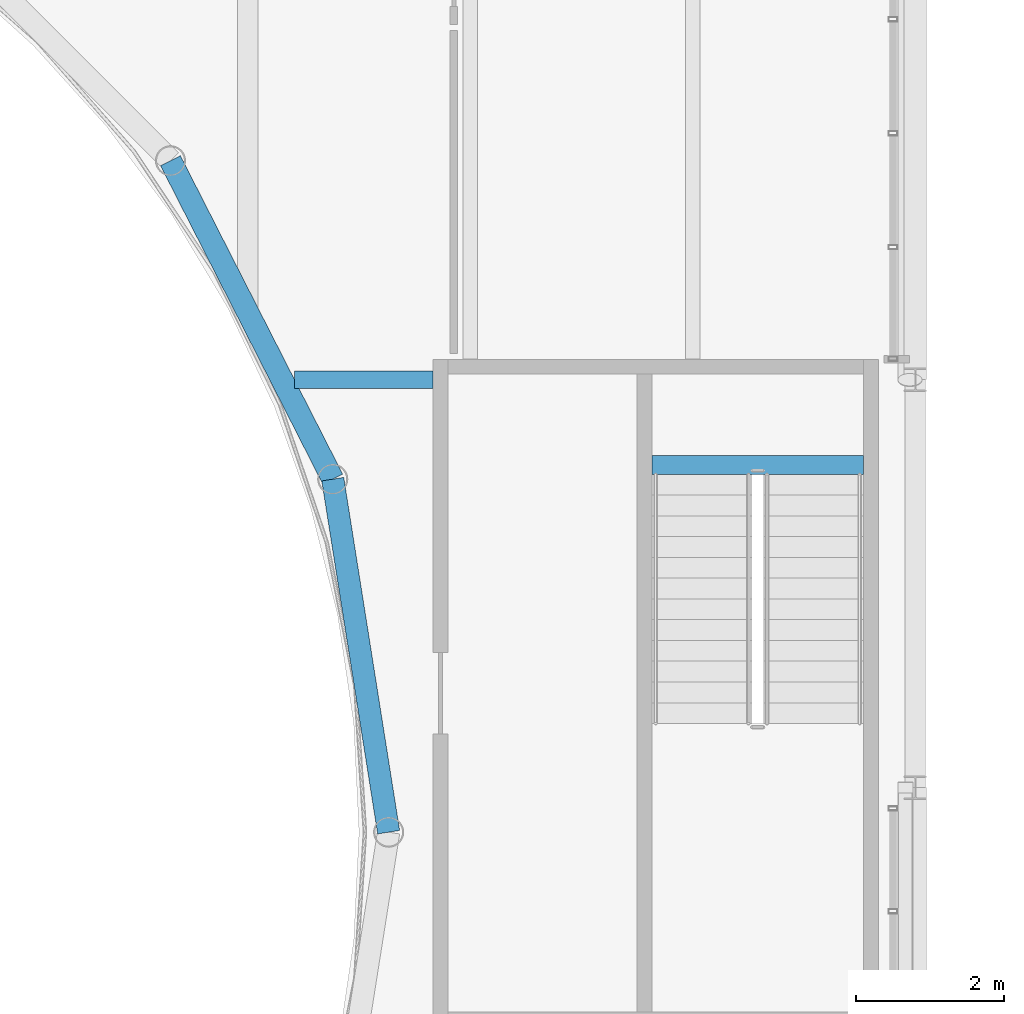
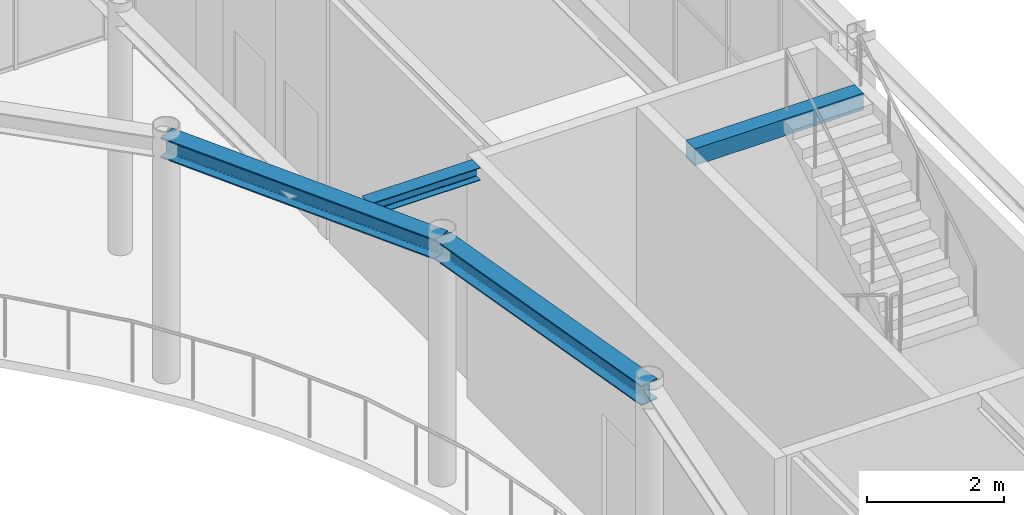
# One storey, part 50 of 111: 4 beams.
"""IFC4 building model written with IfcOpenShell, lengths in metres."""

from ifc_helpers import new_model, si_unit, direction, frame, origin, origin_2d, place, context, subcontext, project, spatial, rectangle, i_section, extrude, material, material_profile, profile_set, type_object, element, save


model = new_model("IFC4")

# Units and contexts
model_context = context("Model", 3, precision=1e-05, world=origin(), true_north=direction((0.0, 1.0)))
body_context = subcontext(model_context, "Body", "Model", "MODEL_VIEW")
ifc_project = project(units=[si_unit("LENGTHUNIT", "METRE"), si_unit("AREAUNIT", "SQUARE_METRE"), si_unit("VOLUMEUNIT", "CUBIC_METRE"), si_unit("PLANEANGLEUNIT", "RADIAN"), si_unit("MASSUNIT", "GRAM", prefix="KILO")], contexts=[model_context])

# Site, building, storey
site_placement = place(None, origin())
site = spatial("IfcSite", under=ifc_project, at=site_placement, CompositionType="ELEMENT")
building_placement = place(site_placement, origin())
building = spatial("IfcBuilding", under=site, at=building_placement, Name="Kallimachos Central Library", CompositionType="ELEMENT")
storey_placement = place(building_placement, frame((0.0, 0.0, 14.39990234375)))
storey = spatial("IfcBuildingStorey", under=building, at=storey_placement, Name="L03", CompositionType="ELEMENT", Elevation=14.39990234375)

# Beams
ifc_material_1 = material(Name="Steel S355J2", Category="steel")
ifc_material_profile_1 = material_profile(ifc_material_1, i_section(OverallWidth=0.239990234375, OverallDepth=0.22998046875, WebThickness=0.007568359375, FlangeThickness=0.011962890625, FilletRadius=0.02099609375, at=origin_2d()), Name="HEA 240")
ifc_profile_set_1 = profile_set([ifc_material_profile_1], Name="Steel S355J2")
beam_type_1 = type_object("IfcBeamType", Name="HEA 240 beam", PredefinedType="BEAM", material=ifc_profile_set_1)
beam_1_placement = place(storey_placement, frame((102.13134765625, 110.5, 4.235107421875), z_axis=(1.0, 0.0, 0.0), x_axis=(0.0, 1.0, 0.0)))
element("IfcBeam", 1, at=beam_1_placement, inside=storey, type_object=beam_type_1, Name="V1-BEM-L03-043", PredefinedType="BEAM", context=body_context, shape_type="SweptSolid", body=[
    extrude(i_section(OverallWidth=0.239990234375, OverallDepth=0.22998046875, WebThickness=0.007568359375, FlangeThickness=0.011962890625, FilletRadius=0.02099609375, at=origin_2d()), origin(), (0.0, 0.0, 1.0), 1.86376953125),
])
ifc_material_2 = material(Name="Steel S355J2", Category="steel")
ifc_material_profile_2 = material_profile(ifc_material_2, i_section(OverallWidth=0.300048828125, OverallDepth=0.360107421875, WebThickness=0.012451171875, FlangeThickness=0.0224609375, FilletRadius=0.027099609375, at=origin_2d()), Name="HEB 360")
ifc_profile_set_2 = profile_set([ifc_material_profile_2], Name="Steel S355J2")
beam_type_2 = type_object("IfcBeamType", Name="HEB 360 beam", PredefinedType="BEAM", material=ifc_profile_set_2)
beam_2_placement = place(storey_placement, frame((103.39990234375, 104.39990234375, 4.170166015625), z_axis=(-0.15641529171, 0.987691377162, 0.0), x_axis=(-0.987691377162, -0.15641529171, 0.0)))
element("IfcBeam", 2, at=beam_2_placement, inside=storey, type_object=beam_type_2, Name="V1-BEM-L03-001", PredefinedType="BEAM", context=body_context, shape_type="SweptSolid", body=[
    extrude(i_section(OverallWidth=0.300048828125, OverallDepth=0.360107421875, WebThickness=0.012451171875, FlangeThickness=0.0224609375, FilletRadius=0.027099609375, at=origin_2d()), origin(), (0.0, 0.0, 1.0), 4.818359375),
])
beam_3_placement = place(storey_placement, frame((102.646240234375, 109.158935546875, 4.170166015625), z_axis=(-0.453970566426, 0.891016680438, 0.0), x_axis=(-0.891016680438, -0.453970566426, 0.0)))
element("IfcBeam", 3, at=beam_3_placement, inside=storey, type_object=beam_type_2, Name="V1-BEM-L03-002", PredefinedType="BEAM", context=body_context, shape_type="SweptSolid", body=[
    extrude(i_section(OverallWidth=0.300048828125, OverallDepth=0.360107421875, WebThickness=0.012451171875, FlangeThickness=0.0224609375, FilletRadius=0.027099609375, at=origin_2d()), origin(), (0.0, 0.0, 1.0), 4.818115234375),
])
ifc_material_3 = material(Name="Concrete C30/37", Category="concrete")
ifc_material_profile_3 = material_profile(ifc_material_3, rectangle(XDim=0.260009765625, YDim=0.300048828125, at=origin_2d()), Name="RC stair trimmer beam 260 x 300")
ifc_profile_set_3 = profile_set([ifc_material_profile_3], Name="Concrete C30/37")
beam_type_3 = type_object("IfcBeamType", Name="RC stair trimmer beam 260 x 300", PredefinedType="BEAM", material=ifc_profile_set_3)
beam_4_placement = place(storey_placement, frame((106.949951171875, 109.35107421875, 4.2001953125), z_axis=(1.0, 0.0, 0.0), x_axis=(0.0, 1.0, 0.0)))
element("IfcBeam", 4, at=beam_4_placement, inside=storey, type_object=beam_type_3, Name="Stair trimmer beam ST4 L03", PredefinedType="BEAM", context=body_context, shape_type="SweptSolid", body=[
    extrude(rectangle(XDim=0.260009765625, YDim=0.300048828125, at=origin_2d()), origin(), (0.0, 0.0, 1.0), 2.85009765625),
])

save(model, "model.ifc")
